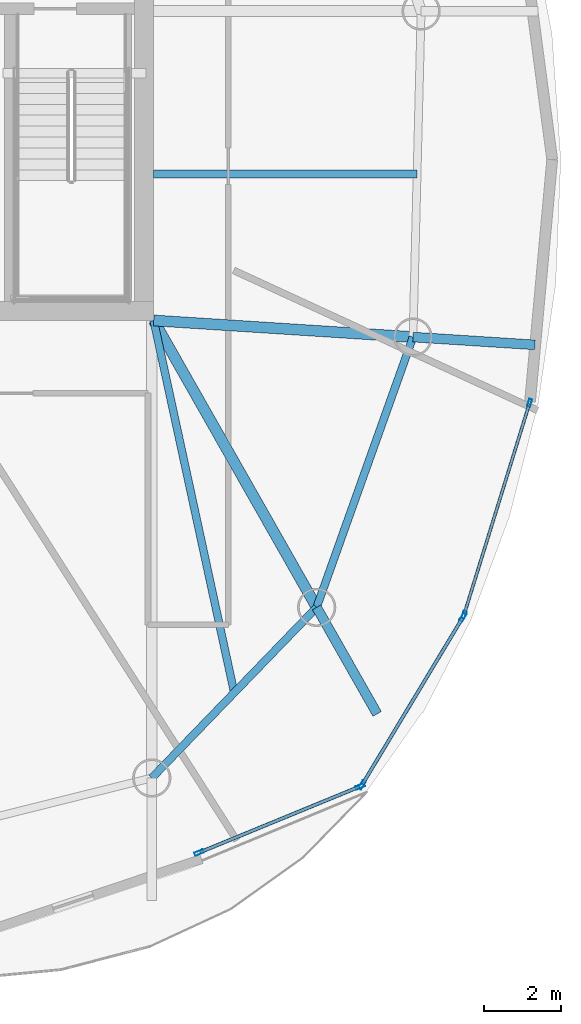
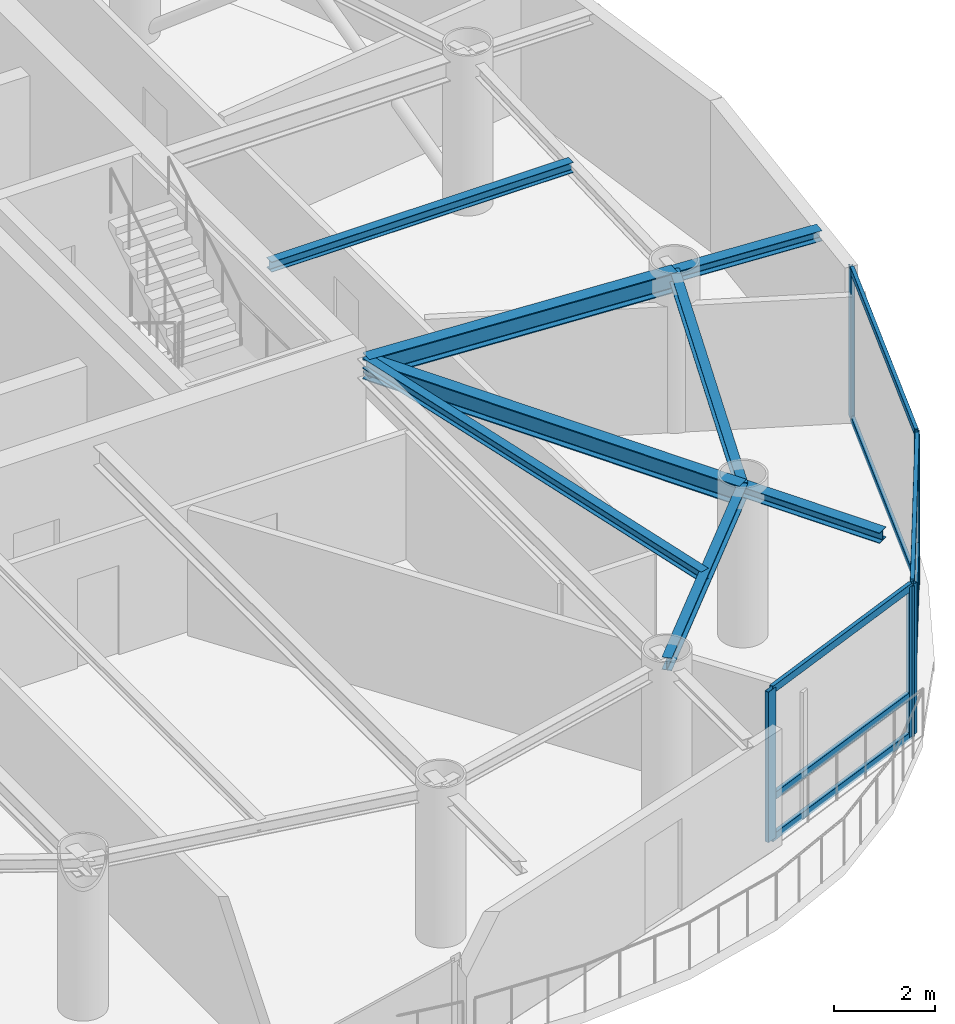
# One storey, part 6 of 19: 14 members, 8 beams, 3 elements without a shape of their own.
"""IFC4 building model written with IfcOpenShell, lengths in metres."""

import ifcopenshell
import ifcopenshell.guid

model = None  # the IFC model being written
_history = None  # IfcOwnerHistory: only IFC2X3 demands one
_inside = {}  # id of a spatial element -> (the spatial element, [elements in it])
_under = {}  # id of a project, library or spatial element -> (it, [spatial elements below it])
_declared = {}  # id of a project -> (the project, [libraries it declares])
_typed = {}  # id of a type object -> (the type object, [elements of that type])
_made_of = {}  # id of a material, layer set ... -> (it, [elements and type objects made of it])


def new_model(schema):
    """Start an empty IFC model of exactly this schema.

    Asked for "IFC4X3", IfcOpenShell would pick the latest addendum, in which some entities
    have other attributes; the version numbers below select the first issue.
    IFC2X3 requires an IfcOwnerHistory on every rooted entity: one is made here for all.
    """
    global model, _history
    if schema == "IFC4X3":
        model = ifcopenshell.file(schema_version=(4, 3, 0, 0))
    else:
        model = ifcopenshell.file(schema=schema)
    _inside.clear()
    _under.clear()
    _declared.clear()
    _typed.clear()
    _made_of.clear()
    _history = None
    if model.schema == "IFC2X3":
        org = make("IfcOrganization", Name="unknown")
        user = make(
            "IfcPersonAndOrganization",
            ThePerson=make("IfcPerson", FamilyName="unknown"),
            TheOrganization=org,
        )
        app = make(
            "IfcApplication",
            ApplicationDeveloper=org,
            Version="unknown",
            ApplicationFullName="unknown",
            ApplicationIdentifier="unknown",
        )
        _history = make(
            "IfcOwnerHistory",
            OwningUser=user,
            OwningApplication=app,
            ChangeAction="ADDED",
            CreationDate=0,
        )
    return model


def make(cls, **values):
    """One entity of the class cls with the attributes given. An attribute that is None is left unset."""
    return model.create_entity(
        cls, **{name: value for name, value in values.items() if value is not None}
    )


def rooted(cls, **values):
    """An entity with a GlobalId (a new one), such as an element, a storey or a relation."""
    return make(cls, GlobalId=ifcopenshell.guid.new(), OwnerHistory=_history, **values)


def si_unit(unit_type, name, prefix=None):
    """IfcSIUnit, for example si_unit("LENGTHUNIT", "METRE", prefix="MILLI")."""
    return make("IfcSIUnit", UnitType=unit_type, Prefix=prefix, Name=name)


def assignment(units):
    """IfcUnitAssignment: the units of a project."""
    return None if units is None else make("IfcUnitAssignment", Units=units)


def point(xyz):
    """IfcCartesianPoint."""
    return None if xyz is None else make("IfcCartesianPoint", Coordinates=xyz)


def direction(xyz):
    """IfcDirection."""
    return None if xyz is None else make("IfcDirection", DirectionRatios=xyz)


def frame(location, z_axis=None, x_axis=None):
    """IfcAxis2Placement3D, a coordinate frame: its origin and axes. An axis left out is left unset."""
    return make(
        "IfcAxis2Placement3D",
        Location=point(location),
        Axis=direction(z_axis),
        RefDirection=direction(x_axis),
    )


def frame_2d(location, x_axis=None):
    """IfcAxis2Placement2D, a coordinate frame in the plane: its origin and x axis."""
    return make(
        "IfcAxis2Placement2D", Location=point(location), RefDirection=direction(x_axis)
    )


def origin():
    """The frame at (0, 0, 0) with its axes left unset."""
    return frame((0.0, 0.0, 0.0))


def origin_2d():
    """The frame at (0, 0) in the plane with its x axis left unset."""
    return frame_2d((0.0, 0.0))


def place(relative_to, where):
    """IfcLocalPlacement: puts the frame where relative to a parent placement (None: the world)."""
    return make(
        "IfcLocalPlacement", PlacementRelTo=relative_to, RelativePlacement=where
    )


def context(
    kind, dimensions, precision=None, world=None, true_north=None, identifier=None
):
    """IfcGeometricRepresentationContext, for example the 3D "Model" context."""
    return make(
        "IfcGeometricRepresentationContext",
        ContextIdentifier=identifier,
        ContextType=kind,
        CoordinateSpaceDimension=dimensions,
        Precision=precision,
        WorldCoordinateSystem=world,
        TrueNorth=true_north,
    )


def subcontext(parent, identifier, kind, view, scale=None):
    """IfcGeometricRepresentationSubContext, for example "Body" below "Model"."""
    return make(
        "IfcGeometricRepresentationSubContext",
        ContextIdentifier=identifier,
        ContextType=kind,
        ParentContext=parent,
        TargetScale=scale,
        TargetView=view,
    )


def project(units=None, contexts=None):
    """IfcProject with its units and contexts."""
    return rooted(
        "IfcProject",
        Name="project",
        RepresentationContexts=contexts,
        UnitsInContext=assignment(units),
    )


def spatial(cls, under=None, at=None, **own):
    """A site, building, storey or space (cls), placed at a placement, below another one or the project."""
    s = rooted(cls, ObjectPlacement=at, **own)
    if under is not None:
        _under.setdefault(under.id(), (under, []))[1].append(s)
    return s


def profile(cls, at=None, kind="AREA", **sizes):
    """A parametric profile (cls). Its sizes go by their IFC names, for example OverallWidth=200.0."""
    return make(cls, ProfileType=kind, Position=at, **sizes)


def hollow_rectangle(**sizes):
    """IfcRectangleHollowProfileDef."""
    return profile("IfcRectangleHollowProfileDef", **sizes)


def i_section(**sizes):
    """IfcIShapeProfileDef."""
    return profile("IfcIShapeProfileDef", **sizes)


def extrude(swept, where, along, depth):
    """IfcExtrudedAreaSolid: the profile swept, set in the frame where, extruded along a direction by depth."""
    return make(
        "IfcExtrudedAreaSolid",
        SweptArea=swept,
        Position=where,
        ExtrudedDirection=direction(along),
        Depth=depth,
    )


def shape(context_of_items, identifier, shape_type, items):
    """IfcShapeRepresentation: the items that make up one representation, for example the "Body"."""
    return make(
        "IfcShapeRepresentation",
        ContextOfItems=context_of_items,
        RepresentationIdentifier=identifier,
        RepresentationType=shape_type,
        Items=items,
    )


def material(Name=None, Category=None):
    """IfcMaterial."""
    return make("IfcMaterial", Name=Name, Category=Category)


def layer(
    of_material, thickness, ventilated=None, Name=None, Category=None, Priority=None
):
    """IfcMaterialLayer: one layer of a wall or slab, of a material (None: an air gap)."""
    return make(
        "IfcMaterialLayer",
        Material=of_material,
        LayerThickness=thickness,
        IsVentilated=ventilated,
        Name=Name,
        Category=Category,
        Priority=Priority,
    )


def layer_set(layers, Name=None):
    """IfcMaterialLayerSet."""
    return make("IfcMaterialLayerSet", MaterialLayers=layers, LayerSetName=Name)


def material_profile(
    of_material, cross_section, Name=None, Category=None, Priority=None
):
    """IfcMaterialProfile: a cross section and its material."""
    return make(
        "IfcMaterialProfile",
        Name=Name,
        Material=of_material,
        Profile=cross_section,
        Priority=Priority,
        Category=Category,
    )


def profile_set(profiles, Name=None, composite=None):
    """IfcMaterialProfileSet."""
    return make(
        "IfcMaterialProfileSet",
        Name=Name,
        MaterialProfiles=profiles,
        CompositeProfile=composite,
    )


def made_of(thing, what):
    """Note that an element or type object is made of a material, layer set ...; save() writes the relation."""
    if what is not None:
        _made_of.setdefault(what.id(), (what, []))[1].append(thing)
    return thing


def type_object(cls, material=None, **own):
    """A type object (cls), such as IfcWallType, which elements share."""
    return made_of(rooted(cls, **own), material)


def element(
    cls,
    number,
    at=None,
    inside=None,
    cuts=None,
    type_object=None,
    material=None,
    context=None,
    identifier="Body",
    shape_type=None,
    held_by="IfcProductDefinitionShape",
    body=None,
    shapes=None,
    **own,
):
    """One element of the class cls, such as IfcWall. Its Tag is "e" and its number.

    at: its placement. inside: the storey or other place that contains it. cuts: it is an
    opening in that element (IfcRelVoidsElement). A single representation is given by context,
    identifier, shape_type and body (its items); several are given by shapes. held_by: the class
    of the entity that holds the representations. save() writes the other relations.
    """
    e = rooted(cls, Tag="e%d" % number, ObjectPlacement=at, **own)
    if body is not None:
        shapes = [shape(context, identifier, shape_type, body)]
    if shapes is not None:
        e.Representation = make(held_by, Representations=shapes)
    if inside is not None:
        _inside.setdefault(inside.id(), (inside, []))[1].append(e)
    if cuts is not None:
        rooted(
            "IfcRelVoidsElement", RelatingBuildingElement=cuts, RelatedOpeningElement=e
        )
    if type_object is not None:
        _typed.setdefault(type_object.id(), (type_object, []))[1].append(e)
    return made_of(e, material)


def aggregate(whole, parts):
    """IfcRelAggregates: a whole, such as a stair, and the parts it consists of."""
    return rooted("IfcRelAggregates", RelatingObject=whole, RelatedObjects=parts)


def save(model, path):
    """Write the relations noted so far, then the file.

    IfcRelAggregates (storeys below a building ...), IfcRelContainedInSpatialStructure (elements
    in a storey), IfcRelDefinesByType, IfcRelAssociatesMaterial and IfcRelDeclares: one each for
    every whole, place, type object, material and project.
    """
    for whole, parts in _under.values():
        aggregate(whole, parts)
    for where, things in _inside.values():
        rooted(
            "IfcRelContainedInSpatialStructure",
            RelatedElements=things,
            RelatingStructure=where,
        )
    for kind, things in _typed.values():
        rooted("IfcRelDefinesByType", RelatedObjects=things, RelatingType=kind)
    for what, things in _made_of.values():
        rooted("IfcRelAssociatesMaterial", RelatedObjects=things, RelatingMaterial=what)
    for by, libraries in _declared.values():
        rooted("IfcRelDeclares", RelatingContext=by, RelatedDefinitions=libraries)
    model.write(path)


model = new_model("IFC4")

# Units and contexts
model_context = context("Model", 3, precision=1e-05, world=origin(), true_north=direction((0.0, 1.0)))
body_context = subcontext(model_context, "Body", "Model", "MODEL_VIEW")
ifc_project = project(units=[si_unit("LENGTHUNIT", "METRE"), si_unit("AREAUNIT", "SQUARE_METRE"), si_unit("VOLUMEUNIT", "CUBIC_METRE"), si_unit("PLANEANGLEUNIT", "RADIAN"), si_unit("MASSUNIT", "GRAM", prefix="KILO")], contexts=[model_context])

# Site, building, storey
site_placement = place(None, origin())
site = spatial("IfcSite", under=ifc_project, at=site_placement, CompositionType="ELEMENT")
building_placement = place(site_placement, origin())
building = spatial("IfcBuilding", under=site, at=building_placement, Name="Bramvorn Convention Spire", CompositionType="ELEMENT")
storey_placement = place(building_placement, frame((0.0, 0.0, 272.85009765625)))
storey = spatial("IfcBuildingStorey", under=building, at=storey_placement, Name="L69", CompositionType="ELEMENT", Elevation=272.85009765625)

# Beams
ifc_material_1 = material(Name="Steel CSA G40.21 Grade 350 (350W)", Category="steel")
ifc_material_profile_1 = material_profile(ifc_material_1, i_section(OverallWidth=0.201904296875, OverallDepth=0.2470703125, WebThickness=0.00732421875, FlangeThickness=0.010986328125, FilletRadius=0.011962890625, at=origin_2d()))
ifc_profile_set_1 = profile_set([ifc_material_profile_1], Name="Steel CSA G40.21 Grade 350 (350W) - W250X49")
beam_type_1 = type_object("IfcBeamType", Name="BM-W250X49", PredefinedType="JOIST", material=ifc_profile_set_1)
beam_1_placement = place(storey_placement, frame((49.25, 18.550048828125, 3.50146484375), z_axis=(0.211461445939, -0.977386339623, 0.0), x_axis=(0.977386339623, 0.211461445939, 0.0)))
element("IfcBeam", 1, at=beam_1_placement, inside=storey, type_object=beam_type_1, Name="L69 composite floor joist 01", PredefinedType="JOIST", context=body_context, shape_type="SweptSolid", body=[
    extrude(i_section(OverallWidth=0.201904296875, OverallDepth=0.2470703125, WebThickness=0.00732421875, FlangeThickness=0.010986328125, FilletRadius=0.011962890625, at=origin_2d()), origin(), (0.0, 0.0, 1.0), 9.9462890625),
])
beam_2_placement = place(storey_placement, frame((49.25, 22.373046875, 3.50146484375), z_axis=(1.0, 0.0, 0.0), x_axis=(0.0, 1.0, 0.0)))
element("IfcBeam", 2, at=beam_2_placement, inside=storey, type_object=beam_type_1, Name="L69 composite floor joist 03", PredefinedType="JOIST", context=body_context, shape_type="SweptSolid", body=[
    extrude(i_section(OverallWidth=0.201904296875, OverallDepth=0.2470703125, WebThickness=0.00732421875, FlangeThickness=0.010986328125, FilletRadius=0.011962890625, at=origin_2d()), origin(), (0.0, 0.0, 1.0), 6.879150390625),
])
ifc_material_profile_2 = material_profile(ifc_material_1, i_section(OverallWidth=0.25390625, OverallDepth=0.2529296875, WebThickness=0.008544921875, FlangeThickness=0.01416015625, FilletRadius=0.011962890625, at=origin_2d()))
ifc_profile_set_2 = profile_set([ifc_material_profile_2], Name="Steel CSA G40.21 Grade 350 (350W) - W250X73")
beam_type_2 = type_object("IfcBeamType", Name="BM-W250X73", PredefinedType="BEAM", material=ifc_profile_set_2)
beam_3_placement = place(storey_placement, frame((53.50634765625, 11.05615234375, 3.498291015625), z_axis=(0.493918961888, -0.869507940785, 0.0), x_axis=(0.869507940785, 0.493918961888, 0.0)))
element("IfcBeam", 3, at=beam_3_placement, inside=storey, type_object=beam_type_2, Name="L69 slab-edge cantilever tip beam MC02", PredefinedType="BEAM", context=body_context, shape_type="SweptSolid", body=[
    extrude(i_section(OverallWidth=0.25390625, OverallDepth=0.2529296875, WebThickness=0.008544921875, FlangeThickness=0.01416015625, FilletRadius=0.011962890625, at=origin_2d()), origin(), (0.0, 0.0, 1.0), 3.199951171875),
])
beam_4_placement = place(storey_placement, frame((56.023681640625, 18.116455078125, 3.498291015625), z_axis=(0.997957372688, -0.063883349141, 0.0), x_axis=(0.063883349141, 0.997957372688, 0.0)))
element("IfcBeam", 4, at=beam_4_placement, inside=storey, type_object=beam_type_2, Name="L69 slab-edge cantilever tip beam MC03", PredefinedType="BEAM", context=body_context, shape_type="SweptSolid", body=[
    extrude(i_section(OverallWidth=0.25390625, OverallDepth=0.2529296875, WebThickness=0.008544921875, FlangeThickness=0.01416015625, FilletRadius=0.011962890625, at=origin_2d()), origin(), (0.0, 0.0, 1.0), 3.191162109375),
])
ifc_material_profile_3 = material_profile(ifc_material_1, i_section(OverallWidth=0.202880859375, OverallDepth=0.302978515625, WebThickness=0.007568359375, FlangeThickness=0.01318359375, FilletRadius=0.013916015625, at=origin_2d()))
ifc_profile_set_3 = profile_set([ifc_material_profile_3], Name="Steel CSA G40.21 Grade 350 (350W) - W310X60")
beam_type_3 = type_object("IfcBeamType", Name="BM-W310X60", PredefinedType="JOIST", material=ifc_profile_set_3)
beam_5_placement = place(storey_placement, frame((49.199951171875, 6.60107421875, 3.473388671875), z_axis=(0.695007159797, 0.719002814898, 0.0), x_axis=(-0.719002814898, 0.695007159797, 0.0)))
element("IfcBeam", 5, at=beam_5_placement, inside=storey, type_object=beam_type_3, Name="L69 mega-column ring beam 01", PredefinedType="JOIST", context=body_context, shape_type="SweptSolid", body=[
    extrude(i_section(OverallWidth=0.202880859375, OverallDepth=0.302978515625, WebThickness=0.007568359375, FlangeThickness=0.01318359375, FilletRadius=0.013916015625, at=origin_2d()), origin(), (0.0, 0.0, 1.0), 6.1962890625),
])
beam_6_placement = place(storey_placement, frame((53.50634765625, 11.05615234375, 3.473388671875), z_axis=(0.335839090413, 0.941919373063, 0.0), x_axis=(-0.941919373063, 0.335839090413, 0.0)))
element("IfcBeam", 6, at=beam_6_placement, inside=storey, type_object=beam_type_3, Name="L69 mega-column ring beam 02", PredefinedType="JOIST", context=body_context, shape_type="SweptSolid", body=[
    extrude(i_section(OverallWidth=0.202880859375, OverallDepth=0.302978515625, WebThickness=0.007568359375, FlangeThickness=0.01318359375, FilletRadius=0.013916015625, at=origin_2d()), origin(), (0.0, 0.0, 1.0), 7.49560546875),
])
ifc_material_profile_4 = material_profile(ifc_material_1, i_section(OverallWidth=0.283935546875, OverallDepth=0.47607421875, WebThickness=0.014892578125, FlangeThickness=0.02392578125, FilletRadius=0.01806640625, at=origin_2d()))
ifc_profile_set_4 = profile_set([ifc_material_profile_4], Name="Steel CSA G40.21 Grade 350 (350W) - W460X158")
beam_type_4 = type_object("IfcBeamType", Name="BM-W460X158", PredefinedType="SPANDREL", material=ifc_profile_set_4)
beam_7_placement = place(storey_placement, frame((49.25, 18.550048828125, 3.386962890625), z_axis=(0.493873612118, -0.869533699895, 0.0), x_axis=(0.869533699895, 0.493873612118, 0.0)))
element("IfcBeam", 7, at=beam_7_placement, inside=storey, type_object=beam_type_4, Name="L69 radial floor girder MC02", PredefinedType="SPANDREL", context=body_context, shape_type="SweptSolid", body=[
    extrude(i_section(OverallWidth=0.283935546875, OverallDepth=0.47607421875, WebThickness=0.014892578125, FlangeThickness=0.02392578125, FilletRadius=0.01806640625, at=origin_2d()), origin(), (0.0, 0.0, 1.0), 8.618408203125),
])
beam_8_placement = place(storey_placement, frame((49.25, 18.550048828125, 3.386962890625), z_axis=(0.997957536354, -0.063880792379, 0.0), x_axis=(0.063880792379, 0.997957536354, 0.0)))
element("IfcBeam", 8, at=beam_8_placement, inside=storey, type_object=beam_type_4, Name="L69 radial floor girder MC03", PredefinedType="SPANDREL", context=body_context, shape_type="SweptSolid", body=[
    extrude(i_section(OverallWidth=0.283935546875, OverallDepth=0.47607421875, WebThickness=0.014892578125, FlangeThickness=0.02392578125, FilletRadius=0.01806640625, at=origin_2d()), origin(), (0.0, 0.0, 1.0), 6.78759765625),
])

# Curtain wall, members
ifc_material_2 = material(Name="Anodised Bronze Unitised Curtain Wall", Category="aluminium")
ifc_layer_1 = layer(ifc_material_2, 0.179931640625)
ifc_layer_set_1 = layer_set([ifc_layer_1], Name="Anodised Bronze Unitised Curtain Wall - CW-OFF-FRIT")
curtain_wall_type_1 = type_object("IfcCurtainWallType", Name="CW-OFF-FRIT", PredefinedType="USERDEFINED", material=ifc_layer_set_1)
curtain_wall_1_placement = place(storey_placement, origin())
curtain_wall_1 = element("IfcCurtainWall", 9, at=curtain_wall_1_placement, inside=storey, type_object=curtain_wall_type_1, Name="L69 fritted glass curtain wall 03", ObjectType="UNITISED CURTAIN WALL", PredefinedType="USERDEFINED")
ifc_material_3 = material(Name="Anodised Bronze Aluminium 6063-T6", Category="aluminium")
ifc_material_profile_5 = material_profile(ifc_material_3, hollow_rectangle(XDim=0.080078125, YDim=0.199951171875, WallThickness=0.00390625, InnerFilletRadius=0.0009765625, OuterFilletRadius=0.00390625, at=origin_2d()))
ifc_profile_set_5 = profile_set([ifc_material_profile_5], Name="Anodised Bronze Aluminium 6063-T6 - CWM80X200")
member_type_1 = type_object("IfcMemberType", Name="CW-MUL-180", PredefinedType="MULLION", material=ifc_profile_set_5)
member_1_placement = place(storey_placement, frame((59.07080078125, 16.400634765625, 0.0), z_axis=(0.0, 0.0, 1.0), x_axis=(0.955248354087, -0.295804972935, 0.0)))
member_1 = element("IfcMember", 10, at=member_1_placement, type_object=member_type_1, Name="CW3 mullion 1", PredefinedType="MULLION", context=body_context, shape_type="SweptSolid", body=[
    extrude(hollow_rectangle(XDim=0.080078125, YDim=0.199951171875, WallThickness=0.00390625, InnerFilletRadius=0.0009765625, OuterFilletRadius=0.00390625, at=origin_2d()), origin(), (0.0, 0.0, 1.0), 3.625),
])
member_2_placement = place(storey_placement, frame((57.355224609375, 10.8603515625, 0.0), z_axis=(0.0, 0.0, 1.0), x_axis=(0.955248354087, -0.295804972935, 0.0)))
member_2 = element("IfcMember", 11, at=member_2_placement, type_object=member_type_1, Name="CW3 mullion 2", PredefinedType="MULLION", context=body_context, shape_type="SweptSolid", body=[
    extrude(hollow_rectangle(XDim=0.080078125, YDim=0.199951171875, WallThickness=0.00390625, InnerFilletRadius=0.0009765625, OuterFilletRadius=0.00390625, at=origin_2d()), origin(), (0.0, 0.0, 1.0), 3.625),
])

ifc_layer_2 = layer(ifc_material_2, 0.219970703125)
ifc_layer_set_2 = layer_set([ifc_layer_2], Name="Anodised Bronze Unitised Curtain Wall - CW-SKYGARDEN")
curtain_wall_type_2 = type_object("IfcCurtainWallType", Name="CW-SKYGARDEN", PredefinedType="USERDEFINED", material=ifc_layer_set_2)
curtain_wall_2_placement = place(storey_placement, origin())
curtain_wall_2 = element("IfcCurtainWall", 12, at=curtain_wall_2_placement, inside=storey, type_object=curtain_wall_type_2, Name="L69 Sky Garden glazed facade 01", ObjectType="WINTER GARDEN GLAZING", PredefinedType="USERDEFINED")
ifc_material_profile_6 = material_profile(ifc_material_3, hollow_rectangle(XDim=0.090087890625, YDim=0.239990234375, WallThickness=0.00439453125, InnerFilletRadius=0.0009765625, OuterFilletRadius=0.00439453125, at=origin_2d()))
ifc_profile_set_6 = profile_set([ifc_material_profile_6], Name="Anodised Bronze Aluminium 6063-T6 - CWM90X240")
member_type_2 = type_object("IfcMemberType", Name="CW-MUL-220", PredefinedType="MULLION", material=ifc_profile_set_6)
member_3_placement = place(storey_placement, frame((54.6474609375, 6.3828125, 0.0), z_axis=(0.0, 0.0, 1.0), x_axis=(0.380258210477, -0.924880367056, 0.0)))
member_3 = element("IfcMember", 13, at=member_3_placement, type_object=member_type_2, Name="CW4 mullion 1", PredefinedType="MULLION", context=body_context, shape_type="SweptSolid", body=[
    extrude(hollow_rectangle(XDim=0.090087890625, YDim=0.239990234375, WallThickness=0.00439453125, InnerFilletRadius=0.0009765625, OuterFilletRadius=0.00439453125, at=origin_2d()), origin(), (0.0, 0.0, 1.0), 3.625),
])
member_4_placement = place(storey_placement, frame((50.43505859375, 4.65087890625, 0.0), z_axis=(0.0, 0.0, 1.0), x_axis=(0.380258210477, -0.924880367056, 0.0)))
member_4 = element("IfcMember", 14, at=member_4_placement, type_object=member_type_2, Name="CW4 mullion 2", PredefinedType="MULLION", context=body_context, shape_type="SweptSolid", body=[
    extrude(hollow_rectangle(XDim=0.090087890625, YDim=0.239990234375, WallThickness=0.00439453125, InnerFilletRadius=0.0009765625, OuterFilletRadius=0.00439453125, at=origin_2d()), origin(), (0.0, 0.0, 1.0), 3.625),
])

curtain_wall_3_placement = place(storey_placement, origin())
curtain_wall_3 = element("IfcCurtainWall", 15, at=curtain_wall_3_placement, inside=storey, type_object=curtain_wall_type_2, Name="L69 Sky Garden glazed facade 02", ObjectType="WINTER GARDEN GLAZING", PredefinedType="USERDEFINED")
member_5_placement = place(storey_placement, frame((57.330810546875, 10.805908203125, 0.0), z_axis=(0.0, 0.0, 1.0), x_axis=(0.856762912379, -0.5157104924, 0.0)))
member_5 = element("IfcMember", 16, at=member_5_placement, type_object=member_type_2, Name="CW4 mullion 1", PredefinedType="MULLION", context=body_context, shape_type="SweptSolid", body=[
    extrude(hollow_rectangle(XDim=0.090087890625, YDim=0.239990234375, WallThickness=0.00439453125, InnerFilletRadius=0.0009765625, OuterFilletRadius=0.00439453125, at=origin_2d()), origin(), (0.0, 0.0, 1.0), 3.625),
])
member_6_placement = place(storey_placement, frame((54.690673828125, 6.419921875, 0.0), z_axis=(0.0, 0.0, 1.0), x_axis=(0.856762912379, -0.5157104924, 0.0)))
member_6 = element("IfcMember", 17, at=member_6_placement, type_object=member_type_2, Name="CW4 mullion 2", PredefinedType="MULLION", context=body_context, shape_type="SweptSolid", body=[
    extrude(hollow_rectangle(XDim=0.090087890625, YDim=0.239990234375, WallThickness=0.00439453125, InnerFilletRadius=0.0009765625, OuterFilletRadius=0.00439453125, at=origin_2d()), origin(), (0.0, 0.0, 1.0), 3.625),
])

# Member
ifc_material_profile_7 = material_profile(ifc_material_3, hollow_rectangle(XDim=0.080078125, YDim=0.159912109375, WallThickness=0.00390625, InnerFilletRadius=0.0009765625, OuterFilletRadius=0.00390625, at=origin_2d()))
ifc_profile_set_7 = profile_set([ifc_material_profile_7], Name="Anodised Bronze Aluminium 6063-T6 - CWT80X160")
member_type_3 = type_object("IfcMemberType", Name="CW-TRN-150", PredefinedType="USERDEFINED", material=ifc_profile_set_7)
member_7_placement = place(storey_placement, frame((59.06201171875, 16.3720703125, 0.02978515625), z_axis=(-0.295815878484, -0.955244976976, 0.0), x_axis=(0.955244976976, -0.295815878484, 0.0)))
member_7 = element("IfcMember", 18, at=member_7_placement, type_object=member_type_3, Name="CW3 transom 1.1", ObjectType="TRANSOM", PredefinedType="USERDEFINED", context=body_context, shape_type="SweptSolid", body=[
    extrude(hollow_rectangle(XDim=0.080078125, YDim=0.159912109375, WallThickness=0.00390625, InnerFilletRadius=0.0009765625, OuterFilletRadius=0.00390625, at=origin_2d()), origin(), (0.0, 0.0, 1.0), 5.739990234375),
])

member_8_placement = place(storey_placement, frame((59.06201171875, 16.3720703125, 3.594970703125), z_axis=(-0.295815878484, -0.955244976976, 0.0), x_axis=(0.955244976976, -0.295815878484, 0.0)))
member_8 = element("IfcMember", 19, at=member_8_placement, type_object=member_type_3, Name="CW3 transom 1.2", ObjectType="TRANSOM", PredefinedType="USERDEFINED", context=body_context, shape_type="SweptSolid", body=[
    extrude(hollow_rectangle(XDim=0.080078125, YDim=0.159912109375, WallThickness=0.00390625, InnerFilletRadius=0.0009765625, OuterFilletRadius=0.00390625, at=origin_2d()), origin(), (0.0, 0.0, 1.0), 5.739990234375),
])

aggregate(curtain_wall_1, [member_1, member_2, member_7, member_8])

ifc_material_profile_8 = material_profile(ifc_material_3, hollow_rectangle(XDim=0.090087890625, YDim=0.179931640625, WallThickness=0.00439453125, InnerFilletRadius=0.0009765625, OuterFilletRadius=0.00439453125, at=origin_2d()))
ifc_profile_set_8 = profile_set([ifc_material_profile_8], Name="Anodised Bronze Aluminium 6063-T6 - CWT90X180")
member_type_4 = type_object("IfcMemberType", Name="CW-TRN-180", PredefinedType="USERDEFINED", material=ifc_profile_set_8)
member_9_placement = place(storey_placement, frame((54.619873046875, 6.371337890625, 0.02978515625), z_axis=(-0.924879321107, -0.380260754467, 0.0), x_axis=(0.380260754467, -0.924879321107, 0.0)))
member_9 = element("IfcMember", 20, at=member_9_placement, type_object=member_type_4, Name="CW4 transom 1.1", ObjectType="TRANSOM", PredefinedType="USERDEFINED", context=body_context, shape_type="SweptSolid", body=[
    extrude(hollow_rectangle(XDim=0.090087890625, YDim=0.179931640625, WallThickness=0.00439453125, InnerFilletRadius=0.0009765625, OuterFilletRadius=0.00439453125, at=origin_2d()), origin(), (0.0, 0.0, 1.0), 4.494873046875),
])

member_10_placement = place(storey_placement, frame((54.619873046875, 6.371337890625, 1.0), z_axis=(-0.924879321107, -0.380260754467, 0.0), x_axis=(0.380260754467, -0.924879321107, 0.0)))
member_10 = element("IfcMember", 21, at=member_10_placement, type_object=member_type_4, Name="CW4 transom 1.2", ObjectType="TRANSOM", PredefinedType="USERDEFINED", context=body_context, shape_type="SweptSolid", body=[
    extrude(hollow_rectangle(XDim=0.090087890625, YDim=0.179931640625, WallThickness=0.00439453125, InnerFilletRadius=0.0009765625, OuterFilletRadius=0.00439453125, at=origin_2d()), origin(), (0.0, 0.0, 1.0), 4.494873046875),
])

member_11_placement = place(storey_placement, frame((54.619873046875, 6.371337890625, 3.594970703125), z_axis=(-0.924879321107, -0.380260754467, 0.0), x_axis=(0.380260754467, -0.924879321107, 0.0)))
member_11 = element("IfcMember", 22, at=member_11_placement, type_object=member_type_4, Name="CW4 transom 1.3", ObjectType="TRANSOM", PredefinedType="USERDEFINED", context=body_context, shape_type="SweptSolid", body=[
    extrude(hollow_rectangle(XDim=0.090087890625, YDim=0.179931640625, WallThickness=0.00439453125, InnerFilletRadius=0.0009765625, OuterFilletRadius=0.00439453125, at=origin_2d()), origin(), (0.0, 0.0, 1.0), 4.494873046875),
])

aggregate(curtain_wall_2, [member_3, member_4, member_9, member_10, member_11])

member_12_placement = place(storey_placement, frame((57.3154296875, 10.7802734375, 0.02978515625), z_axis=(-0.515701622288, -0.856768251495, 0.0), x_axis=(0.856768251495, -0.515701622288, 0.0)))
member_12 = element("IfcMember", 23, at=member_12_placement, type_object=member_type_4, Name="CW4 transom 1.1", ObjectType="TRANSOM", PredefinedType="USERDEFINED", context=body_context, shape_type="SweptSolid", body=[
    extrude(hollow_rectangle(XDim=0.090087890625, YDim=0.179931640625, WallThickness=0.00439453125, InnerFilletRadius=0.0009765625, OuterFilletRadius=0.00439453125, at=origin_2d()), origin(), (0.0, 0.0, 1.0), 5.059326171875),
])

member_13_placement = place(storey_placement, frame((57.3154296875, 10.7802734375, 1.0), z_axis=(-0.515701622288, -0.856768251495, 0.0), x_axis=(0.856768251495, -0.515701622288, 0.0)))
member_13 = element("IfcMember", 24, at=member_13_placement, type_object=member_type_4, Name="CW4 transom 1.2", ObjectType="TRANSOM", PredefinedType="USERDEFINED", context=body_context, shape_type="SweptSolid", body=[
    extrude(hollow_rectangle(XDim=0.090087890625, YDim=0.179931640625, WallThickness=0.00439453125, InnerFilletRadius=0.0009765625, OuterFilletRadius=0.00439453125, at=origin_2d()), origin(), (0.0, 0.0, 1.0), 5.059326171875),
])

member_14_placement = place(storey_placement, frame((57.3154296875, 10.7802734375, 3.594970703125), z_axis=(-0.515701622288, -0.856768251495, 0.0), x_axis=(0.856768251495, -0.515701622288, 0.0)))
member_14 = element("IfcMember", 25, at=member_14_placement, type_object=member_type_4, Name="CW4 transom 1.3", ObjectType="TRANSOM", PredefinedType="USERDEFINED", context=body_context, shape_type="SweptSolid", body=[
    extrude(hollow_rectangle(XDim=0.090087890625, YDim=0.179931640625, WallThickness=0.00439453125, InnerFilletRadius=0.0009765625, OuterFilletRadius=0.00439453125, at=origin_2d()), origin(), (0.0, 0.0, 1.0), 5.059326171875),
])

aggregate(curtain_wall_3, [member_5, member_6, member_12, member_13, member_14])

save(model, "model.ifc")
